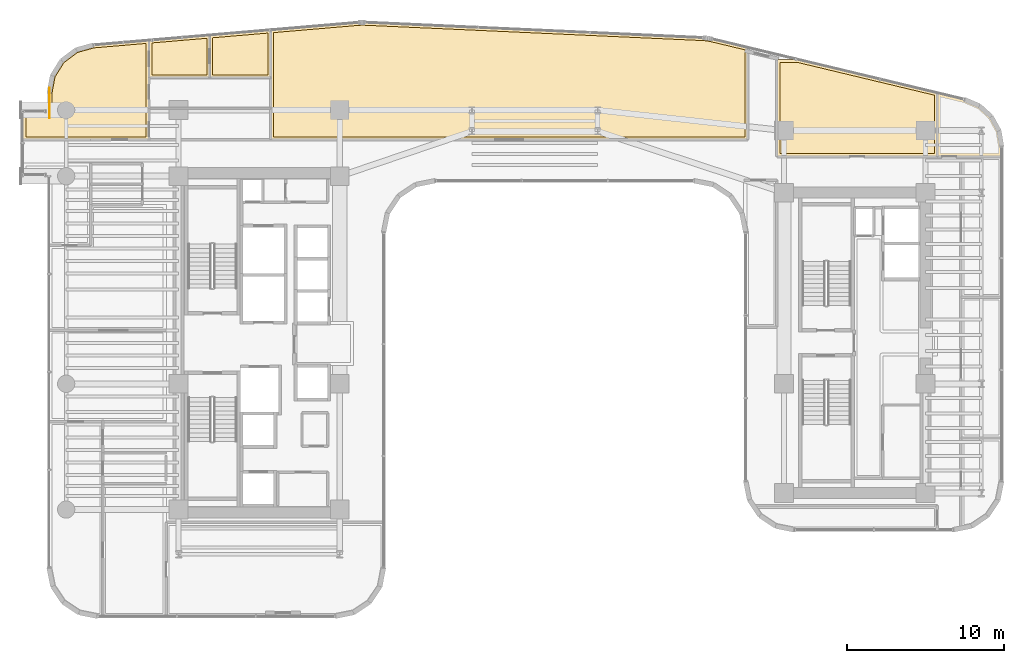
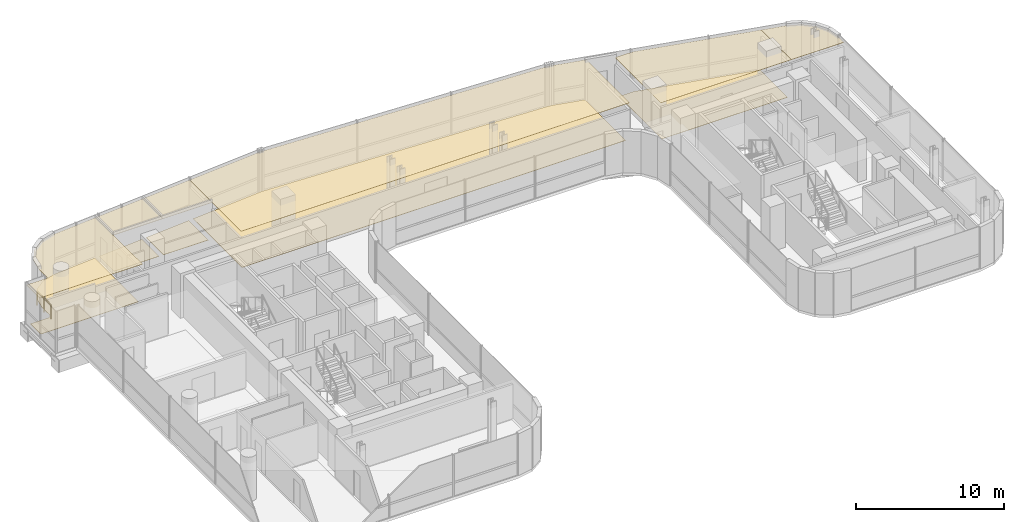
# One storey, part 35 of 35: 11 coverings, 1 railing.
"""IFC4 building model written with IfcOpenShell, lengths in metres."""

from ifc_helpers import new_model, si_unit, direction, frame, origin, origin_2d, place, context, subcontext, project, spatial, polyline, circle, outline, extrude, material, layer, layer_set, type_object, element, save


model = new_model("IFC4")

# Units and contexts
model_context = context("Model", 3, precision=1e-05, world=origin(), true_north=direction((0.0, 1.0)))
body_context = subcontext(model_context, "Body", "Model", "MODEL_VIEW")
ifc_project = project(units=[si_unit("LENGTHUNIT", "METRE"), si_unit("AREAUNIT", "SQUARE_METRE"), si_unit("VOLUMEUNIT", "CUBIC_METRE"), si_unit("PLANEANGLEUNIT", "RADIAN"), si_unit("MASSUNIT", "GRAM", prefix="KILO")], contexts=[model_context])

# Site, building, storey
site_placement = place(None, origin())
site = spatial("IfcSite", under=ifc_project, at=site_placement, CompositionType="ELEMENT")
building_placement = place(site_placement, origin())
building = spatial("IfcBuilding", under=site, at=building_placement, Name="Valdorenza Pilgrim Sanctuary Tower", CompositionType="ELEMENT")
storey_placement = place(building_placement, frame((0.0, 0.0, 150.10009765625)))
storey = spatial("IfcBuildingStorey", under=building, at=storey_placement, Name="L38", CompositionType="ELEMENT", Elevation=150.10009765625)

# Coverings
ifc_material_1 = material(Name="Micro-perforated acoustic mineral ceiling tile", Category="gypsum")
ifc_layer_1 = layer(ifc_material_1, 0.02490234375, Name="Micro-perforated acoustic mineral ceiling tile")
ifc_layer_set_1 = layer_set([ifc_layer_1], Name="Micro-perforated acoustic mineral ceiling tile")
covering_type_1 = type_object("IfcCoveringType", Name="COV-CLG-ACU", PredefinedType="CEILING", material=ifc_layer_set_1)
covering_1_placement = place(storey_placement, frame((0.0, 0.0, 3.159912109375)))
element("IfcCovering", 1, at=covering_1_placement, inside=storey, type_object=covering_type_1, Name="L38 North Grand Residence L38-N1 Bedroom 1 Acoustic Ceiling", PredefinedType="CEILING", context=body_context, shape_type="SweptSolid", body=[
    extrude(outline(polyline([(-24.532958984375, 16.85498046875), (-24.534423828125, 16.85498046875), (-24.535888671875, 16.855224609375), (-24.537353515625, 16.855712890625), (-24.538818359375, 16.856201171875), (-24.5400390625, 16.856689453125), (-24.541259765625, 16.857421875), (-24.54248046875, 16.8583984375), (-24.543701171875, 16.859375), (-24.544677734375, 16.860595703125), (-24.54541015625, 16.86181640625), (-24.546142578125, 16.86279296875), (-24.546875, 16.8642578125), (-24.54736328125, 16.865478515625), (-24.547607421875, 16.8671875), (-24.5478515625, 16.868408203125), (-24.548095703125, 16.8701171875), (-24.548095703125, 19.2392578125), (-24.5478515625, 19.24072265625), (-24.547607421875, 19.2421875), (-24.54736328125, 19.24365234375), (-24.546875, 19.2451171875), (-24.546142578125, 19.246337890625), (-24.54541015625, 19.247802734375), (-24.54443359375, 19.248779296875), (-24.54345703125, 19.25), (-24.54248046875, 19.2509765625), (-24.541259765625, 19.251953125), (-24.539794921875, 19.252685546875), (-24.53857421875, 19.253173828125), (-24.537109375, 19.253662109375), (-24.53564453125, 19.254150390625), (-24.5341796875, 19.25439453125), (-20.667724609375, 19.5830078125), (-20.666259765625, 19.5830078125), (-20.664794921875, 19.5830078125), (-20.663330078125, 19.58251953125), (-20.662109375, 19.582275390625), (-20.66064453125, 19.581787109375), (-20.6591796875, 19.5810546875), (-20.658203125, 19.580322265625), (-20.656982421875, 19.57958984375), (-20.65576171875, 19.57861328125), (-20.65478515625, 19.577392578125), (-20.654052734375, 19.576171875), (-20.6533203125, 19.574951171875), (-20.652587890625, 19.57373046875), (-20.652099609375, 19.572265625), (-20.65185546875, 19.57080078125), (-20.651611328125, 19.5693359375), (-20.651611328125, 19.568115234375), (-20.651611328125, 16.8701171875), (-20.651611328125, 16.868408203125), (-20.65185546875, 16.8671875), (-20.652099609375, 16.865478515625), (-20.652587890625, 16.8642578125), (-20.6533203125, 16.86279296875), (-20.654052734375, 16.86181640625), (-20.65478515625, 16.860595703125), (-20.656005859375, 16.859375), (-20.656982421875, 16.8583984375), (-20.658203125, 16.857421875), (-20.659423828125, 16.856689453125), (-20.660888671875, 16.856201171875), (-20.662109375, 16.855712890625), (-20.66357421875, 16.855224609375), (-20.6650390625, 16.85498046875), (-20.66650390625, 16.85498046875), (-24.532958984375, 16.85498046875)])), origin(), (0.0, 0.0, 1.0), 0.02490234375),
])
covering_2_placement = place(storey_placement, frame((0.0, 0.0, 3.159912109375)))
element("IfcCovering", 2, at=covering_2_placement, inside=storey, type_object=covering_type_1, Name="L38 North Grand Residence L38-N1 Bedroom 2 Acoustic Ceiling", PredefinedType="CEILING", context=body_context, shape_type="SweptSolid", body=[
    extrude(outline(polyline([(-20.679443359375, 19.568115234375), (-20.679443359375, 19.56884765625), (-20.679443359375, 19.5703125), (-20.67919921875, 19.57177734375), (-20.6787109375, 19.572998046875), (-20.677978515625, 19.574462890625), (-20.677490234375, 19.57568359375), (-20.6767578125, 19.576904296875), (-20.67578125, 19.577880859375), (-20.6748046875, 19.5791015625), (-20.673583984375, 19.580078125), (-20.672607421875, 19.580810546875), (-20.67138671875, 19.58154296875), (-20.669921875, 19.58203125), (-20.668701171875, 19.58251953125), (-20.667236328125, 19.5830078125), (-20.665771484375, 19.5830078125), (-16.80126953125, 19.91162109375), (-16.7998046875, 19.91162109375), (-16.79833984375, 19.91162109375), (-16.796875, 19.911376953125), (-16.79541015625, 19.910888671875), (-16.794189453125, 19.910400390625), (-16.792724609375, 19.909912109375), (-16.79150390625, 19.908935546875), (-16.790283203125, 19.908203125), (-16.789306640625, 19.906982421875), (-16.788330078125, 19.906005859375), (-16.78759765625, 19.90478515625), (-16.78662109375, 19.903564453125), (-16.7861328125, 19.90234375), (-16.78564453125, 19.90087890625), (-16.785400390625, 19.8994140625), (-16.78515625, 19.898193359375), (-16.784912109375, 19.896484375), (-16.784912109375, 16.8701171875), (-16.78515625, 16.868408203125), (-16.785400390625, 16.8671875), (-16.78564453125, 16.865478515625), (-16.7861328125, 16.8642578125), (-16.786865234375, 16.86279296875), (-16.78759765625, 16.86181640625), (-16.788330078125, 16.860595703125), (-16.789306640625, 16.859375), (-16.79052734375, 16.8583984375), (-16.791748046875, 16.857421875), (-16.79296875, 16.856689453125), (-16.794189453125, 16.856201171875), (-16.795654296875, 16.855712890625), (-16.797119140625, 16.855224609375), (-16.798583984375, 16.85498046875), (-16.800048828125, 16.85498046875), (-20.66455078125, 16.85498046875), (-20.666015625, 16.85498046875), (-20.66748046875, 16.855224609375), (-20.6689453125, 16.855712890625), (-20.670166015625, 16.856201171875), (-20.671630859375, 16.856689453125), (-20.6728515625, 16.857421875), (-20.674072265625, 16.8583984375), (-20.675048828125, 16.859375), (-20.676025390625, 16.860595703125), (-20.677001953125, 16.86181640625), (-20.677734375, 16.86279296875), (-20.678466796875, 16.8642578125), (-20.678955078125, 16.865478515625), (-20.67919921875, 16.8671875), (-20.679443359375, 16.868408203125), (-20.679443359375, 16.8701171875), (-20.679443359375, 19.568115234375), (-20.679443359375, 19.568115234375)])), origin(), (0.0, 0.0, 1.0), 0.02490234375),
])
covering_3_placement = place(storey_placement, frame((0.0, 0.0, 3.159912109375)))
element("IfcCovering", 3, at=covering_3_placement, inside=storey, type_object=covering_type_1, Name="L38 North Grand Residence L38-N1 Living Room Acoustic Ceiling", PredefinedType="CEILING", context=body_context, shape_type="SweptSolid", body=[
    extrude(outline(polyline([(-32.5400390625, 12.905029296875), (-32.54150390625, 12.905029296875), (-32.54296875, 12.9052734375), (-32.54443359375, 12.905517578125), (-32.545654296875, 12.906005859375), (-32.547119140625, 12.90673828125), (-32.54833984375, 12.907470703125), (-32.549560546875, 12.908447265625), (-32.550537109375, 12.909423828125), (-32.551513671875, 12.910400390625), (-32.552490234375, 12.91162109375), (-32.55322265625, 12.912841796875), (-32.553955078125, 12.914306640625), (-32.554443359375, 12.91552734375), (-32.5546875, 12.9169921875), (-32.554931640625, 12.91845703125), (-32.554931640625, 12.919921875), (-32.554931640625, 14.68994140625), (-32.554931640625, 14.69140625), (-32.5546875, 14.69287109375), (-32.554443359375, 14.6943359375), (-32.553955078125, 14.69580078125), (-32.55322265625, 14.697021484375), (-32.552490234375, 14.6982421875), (-32.551513671875, 14.699462890625), (-32.550537109375, 14.70068359375), (-32.549560546875, 14.70166015625), (-32.54833984375, 14.702392578125), (-32.547119140625, 14.703125), (-32.545654296875, 14.703857421875), (-32.54443359375, 14.704345703125), (-32.54296875, 14.70458984375), (-32.54150390625, 14.704833984375), (-32.5400390625, 14.705078125), (-31.00048828125, 14.705078125), (-30.99072265625, 14.70556640625), (-30.9814453125, 14.706787109375), (-30.972412109375, 14.708984375), (-30.963623046875, 14.712158203125), (-30.955078125, 14.71630859375), (-30.947265625, 14.720947265625), (-30.939697265625, 14.7265625), (-30.932861328125, 14.73291015625), (-30.926513671875, 14.73974609375), (-30.9208984375, 14.747314453125), (-30.916259765625, 14.755126953125), (-30.912109375, 14.763671875), (-30.9091796875, 14.7724609375), (-30.90673828125, 14.781494140625), (-30.905517578125, 14.790771484375), (-30.905029296875, 14.80029296875), (-30.905029296875, 15.850341796875), (-30.90478515625, 15.8515625), (-30.90478515625, 15.85302734375), (-30.692138671875, 16.984130859375), (-30.69189453125, 16.985595703125), (-30.69140625, 16.98681640625), (-30.69091796875, 16.98828125), (-30.690185546875, 16.989501953125), (-30.0869140625, 17.95751953125), (-30.086181640625, 17.958740234375), (-30.085205078125, 17.959716796875), (-30.084228515625, 17.960693359375), (-30.083251953125, 17.961669921875), (-29.169677734375, 18.64453125), (-29.16845703125, 18.6455078125), (-29.167236328125, 18.64599609375), (-29.166015625, 18.646484375), (-29.164794921875, 18.647216796875), (-28.055419921875, 18.95458984375), (-28.05419921875, 18.955078125), (-28.052734375, 18.955078125), (-24.536376953125, 19.254150390625), (-24.534912109375, 19.254150390625), (-24.533447265625, 19.254150390625), (-24.531982421875, 19.25390625), (-24.530517578125, 19.25341796875), (-24.529052734375, 19.2529296875), (-24.52783203125, 19.252197265625), (-24.526611328125, 19.251708984375), (-24.525390625, 19.250732421875), (-24.5244140625, 19.249755859375), (-24.5234375, 19.24853515625), (-24.5224609375, 19.247314453125), (-24.521728515625, 19.24609375), (-24.52099609375, 19.244873046875), (-24.5205078125, 19.243408203125), (-24.520263671875, 19.2421875), (-24.52001953125, 19.240478515625), (-24.52001953125, 19.2392578125), (-24.52001953125, 16.87548828125), (-24.519775390625, 16.875), (-24.51904296875, 16.87353515625), (-24.5185546875, 16.872314453125), (-24.518310546875, 16.870849609375), (-24.51806640625, 16.869384765625), (-24.51806640625, 16.867919921875), (-24.51806640625, 12.919921875), (-24.51806640625, 12.91845703125), (-24.518310546875, 12.9169921875), (-24.5185546875, 12.91552734375), (-24.51904296875, 12.914306640625), (-24.519775390625, 12.912841796875), (-24.5205078125, 12.91162109375), (-24.521484375, 12.910400390625), (-24.5224609375, 12.909423828125), (-24.5234375, 12.908447265625), (-24.524658203125, 12.907470703125), (-24.52587890625, 12.90673828125), (-24.52734375, 12.906005859375), (-24.528564453125, 12.905517578125), (-24.530029296875, 12.9052734375), (-24.531494140625, 12.905029296875), (-24.532958984375, 12.905029296875), (-32.5400390625, 12.905029296875)])), origin(), (0.0, 0.0, 1.0), 0.02490234375),
])
covering_4_placement = place(storey_placement, frame((0.0, 0.0, 3.159912109375)))
element("IfcCovering", 4, at=covering_4_placement, inside=storey, type_object=covering_type_1, Name="L38 Sacred Archive Reading Library L38-N2 Acoustic Ceiling", PredefinedType="CEILING", context=body_context, shape_type="SweptSolid", body=[
    extrude(outline(polyline([(-16.81298828125, 14.918212890625), (-16.81298828125, 14.9189453125), (-16.813232421875, 14.92041015625), (-16.813232421875, 14.922119140625), (-16.81298828125, 14.923583984375), (-16.81298828125, 14.923828125), (-16.81298828125, 16.8662109375), (-16.81298828125, 16.866943359375), (-16.813232421875, 16.868408203125), (-16.813232421875, 16.8701171875), (-16.81298828125, 16.87158203125), (-16.81298828125, 16.871826171875), (-16.81298828125, 19.896484375), (-16.81298828125, 19.896484375), (-16.81298828125, 19.8974609375), (-16.81298828125, 19.89892578125), (-16.8125, 19.900390625), (-16.812255859375, 19.901611328125), (-16.8115234375, 19.903076171875), (-16.81103515625, 19.904296875), (-16.810302734375, 19.905517578125), (-16.809326171875, 19.906494140625), (-16.808349609375, 19.90771484375), (-16.80712890625, 19.90869140625), (-16.805908203125, 19.909423828125), (-16.8046875, 19.91015625), (-16.803466796875, 19.91064453125), (-16.802001953125, 19.9111328125), (-16.80078125, 19.91162109375), (-16.79931640625, 19.91162109375), (-11.20068359375, 20.3876953125), (-11.200439453125, 20.3876953125), (-11.099365234375, 20.39453125), (-11.098876953125, 20.39453125), (-10.998291015625, 20.398193359375), (-10.997802734375, 20.398193359375), (-10.897216796875, 20.398681640625), (-10.896728515625, 20.398681640625), (-10.79541015625, 20.3955078125), (-10.795166015625, 20.3955078125), (10.690673828125, 19.4189453125), (10.69091796875, 19.4189453125), (10.838134765625, 19.40869140625), (10.8388671875, 19.40869140625), (10.984375, 19.3916015625), (10.985107421875, 19.3916015625), (11.12939453125, 19.36767578125), (11.130126953125, 19.36767578125), (11.274658203125, 19.336669921875), (11.27490234375, 19.33642578125), (13.553466796875, 18.791015625), (13.554931640625, 18.790771484375), (13.55615234375, 18.790283203125), (13.5576171875, 18.78955078125), (13.55859375, 18.788818359375), (13.559814453125, 18.787841796875), (13.560791015625, 18.786865234375), (13.561767578125, 18.785888671875), (13.5625, 18.78466796875), (13.563232421875, 18.783447265625), (13.56396484375, 18.781982421875), (13.564453125, 18.78076171875), (13.564697265625, 18.779296875), (13.56494140625, 18.778076171875), (13.56494140625, 18.776611328125), (13.56494140625, 12.919921875), (13.56494140625, 12.91845703125), (13.564697265625, 12.9169921875), (13.564453125, 12.91552734375), (13.56396484375, 12.914306640625), (13.563232421875, 12.912841796875), (13.5625, 12.91162109375), (13.5615234375, 12.910400390625), (13.560546875, 12.909423828125), (13.5595703125, 12.908447265625), (13.558349609375, 12.907470703125), (13.55712890625, 12.90673828125), (13.5556640625, 12.906005859375), (13.554443359375, 12.905517578125), (13.552978515625, 12.9052734375), (13.551513671875, 12.905029296875), (13.550048828125, 12.905029296875), (-16.798095703125, 12.905029296875), (-16.799560546875, 12.905029296875), (-16.80078125, 12.9052734375), (-16.802490234375, 12.905517578125), (-16.8037109375, 12.906005859375), (-16.80517578125, 12.90673828125), (-16.806396484375, 12.907470703125), (-16.8076171875, 12.908447265625), (-16.80859375, 12.909423828125), (-16.8095703125, 12.910400390625), (-16.810546875, 12.91162109375), (-16.811279296875, 12.912841796875), (-16.81201171875, 12.914306640625), (-16.8125, 12.91552734375), (-16.812744140625, 12.9169921875), (-16.81298828125, 12.91845703125), (-16.81298828125, 12.919921875), (-16.81298828125, 14.918212890625)])), origin(), (0.0, 0.0, 1.0), 0.02490234375),
])
covering_5_placement = place(storey_placement, frame((0.0, 0.0, 3.159912109375)))
element("IfcCovering", 5, at=covering_5_placement, inside=storey, type_object=covering_type_1, Name="L38 Curator Research Office L38-BN1 Acoustic Ceiling", PredefinedType="CEILING", context=body_context, shape_type="SweptSolid", body=[
    extrude(outline(polyline([(15.39990234375, 11.8349609375), (15.3984375, 11.835205078125), (15.397216796875, 11.835205078125), (15.3955078125, 11.835693359375), (15.394287109375, 11.836181640625), (15.392822265625, 11.8369140625), (15.3916015625, 11.83740234375), (15.390380859375, 11.83837890625), (15.389404296875, 11.83935546875), (15.388427734375, 11.840576171875), (15.387451171875, 11.841796875), (15.38671875, 11.843017578125), (15.385986328125, 11.84423828125), (15.385498046875, 11.845703125), (15.38525390625, 11.84716796875), (15.385009765625, 11.848388671875), (15.385009765625, 11.85009765625), (15.385009765625, 18.0), (15.385009765625, 18.00146484375), (15.38525390625, 18.0029296875), (15.385498046875, 18.00439453125), (15.385986328125, 18.005615234375), (15.38671875, 18.007080078125), (15.387451171875, 18.00830078125), (15.388427734375, 18.009521484375), (15.389404296875, 18.010498046875), (15.390380859375, 18.01171875), (15.3916015625, 18.012451171875), (15.392822265625, 18.01318359375), (15.394287109375, 18.013916015625), (15.3955078125, 18.014404296875), (15.397216796875, 18.0146484375), (15.3984375, 18.014892578125), (15.39990234375, 18.014892578125), (16.794189453125, 18.014892578125), (16.7958984375, 18.014892578125), (16.797607421875, 18.0146484375), (25.603515625, 15.90673828125), (25.60498046875, 15.906494140625), (25.606201171875, 15.906005859375), (25.607421875, 15.9052734375), (25.608642578125, 15.904541015625), (25.60986328125, 15.903564453125), (25.61083984375, 15.902587890625), (25.61181640625, 15.901611328125), (25.612548828125, 15.900390625), (25.61328125, 15.899169921875), (25.614013671875, 15.897705078125), (25.614501953125, 15.896484375), (25.61474609375, 15.89501953125), (25.614990234375, 15.893798828125), (25.614990234375, 15.892333984375), (25.614990234375, 11.85009765625), (25.614990234375, 11.848388671875), (25.61474609375, 11.84716796875), (25.614501953125, 11.845703125), (25.614013671875, 11.84423828125), (25.61328125, 11.843017578125), (25.612548828125, 11.841796875), (25.611572265625, 11.840576171875), (25.610595703125, 11.83935546875), (25.609619140625, 11.83837890625), (25.6083984375, 11.83740234375), (25.607177734375, 11.8369140625), (25.605712890625, 11.836181640625), (25.6044921875, 11.835693359375), (25.602783203125, 11.835205078125), (25.6015625, 11.835205078125), (25.60009765625, 11.8349609375), (15.39990234375, 11.8349609375)])), origin(), (0.0, 0.0, 1.0), 0.02490234375),
])
covering_6_placement = place(storey_placement, frame((0.0, 0.0, 3.159912109375)))
element("IfcCovering", 6, at=covering_6_placement, inside=storey, type_object=covering_type_1, Name="L38 East Wing Reference Library L38-BNE Acoustic Ceiling", PredefinedType="CEILING", context=body_context, shape_type="SweptSolid", body=[
    extrude(outline(polyline([(27.313720703125, 15.49755859375), (27.31494140625, 15.4970703125), (27.316162109375, 15.49658203125), (28.269775390625, 15.09130859375), (28.271240234375, 15.090576171875), (28.272705078125, 15.089599609375), (28.27392578125, 15.088623046875), (29.034912109375, 14.3994140625), (29.035888671875, 14.398193359375), (29.037109375, 14.39697265625), (29.037841796875, 14.3955078125), (29.531005859375, 13.4951171875), (29.53173828125, 13.49365234375), (29.5322265625, 13.4921875), (29.53271484375, 13.490478515625), (29.704833984375, 12.468994140625), (29.704833984375, 12.467529296875), (29.705078125, 12.46630859375), (29.705078125, 11.85009765625), (29.704833984375, 11.848388671875), (29.70458984375, 11.84716796875), (29.704345703125, 11.845703125), (29.703857421875, 11.84423828125), (29.703125, 11.843017578125), (29.702392578125, 11.841796875), (29.70166015625, 11.840576171875), (29.70068359375, 11.83935546875), (29.699462890625, 11.83837890625), (29.6982421875, 11.83740234375), (29.697021484375, 11.8369140625), (29.69580078125, 11.836181640625), (29.6943359375, 11.835693359375), (29.69287109375, 11.835205078125), (29.69140625, 11.835205078125), (29.68994140625, 11.8349609375), (25.60205078125, 11.8349609375), (25.6005859375, 11.835205078125), (25.59912109375, 11.835205078125), (25.59765625, 11.835693359375), (25.59619140625, 11.836181640625), (25.594970703125, 11.8369140625), (25.59375, 11.83740234375), (25.592529296875, 11.83837890625), (25.59130859375, 11.83935546875), (25.59033203125, 11.840576171875), (25.589599609375, 11.841796875), (25.5888671875, 11.843017578125), (25.588134765625, 11.84423828125), (25.587646484375, 11.845703125), (25.58740234375, 11.84716796875), (25.587158203125, 11.848388671875), (25.5869140625, 11.85009765625), (25.5869140625, 15.891845703125), (25.587158203125, 15.893310546875), (25.58740234375, 15.894775390625), (25.587646484375, 15.896240234375), (25.588134765625, 15.897705078125), (25.5888671875, 15.89892578125), (25.589599609375, 15.900390625), (25.590576171875, 15.901611328125), (25.591552734375, 15.902587890625), (25.5927734375, 15.903564453125), (25.593994140625, 15.904296875), (25.59521484375, 15.9052734375), (25.5966796875, 15.90576171875), (25.597900390625, 15.90625), (25.599609375, 15.906494140625), (25.60107421875, 15.90673828125), (25.6025390625, 15.90673828125), (25.60400390625, 15.906494140625), (25.60546875, 15.906494140625), (27.313720703125, 15.49755859375)])), origin(), (0.0, 0.0, 1.0), 0.02490234375),
])
ifc_material_2 = material(Name="Engineered European oak timber flooring", Category="wood")
ifc_layer_2 = layer(ifc_material_2, 0.02197265625, Name="Engineered European oak timber flooring")
ifc_layer_set_2 = layer_set([ifc_layer_2], Name="Engineered European oak timber flooring")
covering_type_2 = type_object("IfcCoveringType", Name="COV-FLR-OAK", PredefinedType="FLOORING", material=ifc_layer_set_2)
covering_7_placement = place(storey_placement, origin())
element("IfcCovering", 7, at=covering_7_placement, inside=storey, type_object=covering_type_2, Name="L38 North Grand Residence L38-N1 Bedroom 1 Flooring", PredefinedType="FLOORING", context=body_context, shape_type="SweptSolid", body=[
    extrude(outline(polyline([(-24.35302734375, 17.050048828125), (-24.35302734375, 19.073974609375), (-20.846435546875, 19.3720703125), (-20.846435546875, 17.050048828125), (-24.35302734375, 17.050048828125)])), origin(), (0.0, 0.0, 1.0), 0.02490234375),
])
covering_8_placement = place(storey_placement, origin())
element("IfcCovering", 8, at=covering_8_placement, inside=storey, type_object=covering_type_2, Name="L38 North Grand Residence L38-N1 Bedroom 2 Flooring", PredefinedType="FLOORING", context=body_context, shape_type="SweptSolid", body=[
    extrude(outline(polyline([(-20.484619140625, 17.050048828125), (-20.484619140625, 19.402587890625), (-16.97998046875, 19.70068359375), (-16.97998046875, 17.050048828125), (-20.484619140625, 17.050048828125)])), origin(), (0.0, 0.0, 1.0), 0.02490234375),
])
covering_9_placement = place(storey_placement, origin())
element("IfcCovering", 9, at=covering_9_placement, inside=storey, type_object=covering_type_2, Name="L38 North Grand Residence L38-N1 Living Room Flooring", PredefinedType="FLOORING", context=body_context, shape_type="SweptSolid", body=[
    extrude(outline(polyline([(-32.360107421875, 13.10009765625), (-32.360107421875, 14.510009765625), (-31.0, 14.510009765625), (-30.9912109375, 14.51025390625), (-30.98046875, 14.5107421875), (-30.962890625, 14.512451171875), (-30.9521484375, 14.51416015625), (-30.934814453125, 14.517578125), (-30.92431640625, 14.52001953125), (-30.907470703125, 14.525390625), (-30.897216796875, 14.52880859375), (-30.880859375, 14.53564453125), (-30.87109375, 14.540283203125), (-30.855712890625, 14.548583984375), (-30.84619140625, 14.55419921875), (-30.831787109375, 14.56396484375), (-30.822998046875, 14.5703125), (-30.809326171875, 14.58154296875), (-30.80126953125, 14.5888671875), (-30.788818359375, 14.601318359375), (-30.781494140625, 14.609375), (-30.7705078125, 14.623046875), (-30.763916015625, 14.631591796875), (-30.754150390625, 14.646240234375), (-30.74853515625, 14.655517578125), (-30.740234375, 14.671142578125), (-30.735595703125, 14.680908203125), (-30.72900390625, 14.697265625), (-30.725341796875, 14.70751953125), (-30.72021484375, 14.724365234375), (-30.717529296875, 14.73486328125), (-30.714111328125, 14.752197265625), (-30.71240234375, 14.7626953125), (-30.710693359375, 14.780517578125), (-30.710205078125, 14.791259765625), (-30.7099609375, 14.800048828125), (-30.7099609375, 15.83349609375), (-30.5068359375, 16.9150390625), (-29.939208984375, 17.82568359375), (-29.080078125, 18.46826171875), (-28.01953125, 18.76220703125), (-24.715087890625, 19.043212890625), (-24.715087890625, 16.8701171875), (-24.713134765625, 13.10009765625), (-32.360107421875, 13.10009765625)])), origin(), (0.0, 0.0, 1.0), 0.02490234375),
])
ifc_material_3 = material(Name="Honed travertine stone flooring", Category="masonry")
ifc_layer_3 = layer(ifc_material_3, 0.030029296875, Name="Honed travertine stone flooring")
ifc_layer_set_3 = layer_set([ifc_layer_3], Name="Honed travertine stone flooring")
covering_type_3 = type_object("IfcCoveringType", Name="COV-FLR-TRV", PredefinedType="FLOORING", material=ifc_layer_set_3)
covering_10_placement = place(storey_placement, origin())
element("IfcCovering", 10, at=covering_10_placement, inside=storey, type_object=covering_type_3, Name="L38 Sacred Archive Reading Library L38-N2 Flooring", PredefinedType="FLOORING", context=body_context, shape_type="SweptSolid", body=[
    extrude(outline(polyline([(-16.617919921875, 14.921630859375), (-16.617919921875, 14.922119140625), (-16.617919921875, 16.867919921875), (-16.617919921875, 16.868896484375), (-16.617919921875, 16.86962890625), (-16.617919921875, 16.8701171875), (-16.617919921875, 19.731201171875), (-11.185546875, 20.193115234375), (-11.0888671875, 20.199951171875), (-10.994140625, 20.203125), (-10.8994140625, 20.20361328125), (-10.802490234375, 20.20068359375), (10.6796875, 19.224365234375), (10.820556640625, 19.214599609375), (10.95751953125, 19.198486328125), (11.093505859375, 19.176025390625), (11.231689453125, 19.146484375), (13.3701171875, 18.634521484375), (13.3701171875, 13.10009765625), (-16.617919921875, 13.10009765625), (-16.617919921875, 14.919921875), (-16.617919921875, 14.9208984375), (-16.617919921875, 14.921630859375)])), origin(), (0.0, 0.0, 1.0), 0.02490234375),
])
covering_11_placement = place(storey_placement, origin())
element("IfcCovering", 11, at=covering_11_placement, inside=storey, type_object=covering_type_3, Name="L38 Curator Research Office L38-BN1 Flooring", PredefinedType="FLOORING", context=body_context, shape_type="SweptSolid", body=[
    extrude(outline(polyline([(15.580078125, 12.030029296875), (15.580078125, 17.820068359375), (16.77294921875, 17.820068359375), (25.419921875, 15.750244140625), (25.419921875, 12.030029296875), (15.580078125, 12.030029296875)])), origin(), (0.0, 0.0, 1.0), 0.02490234375),
])

# Railing
ifc_material_4 = material(Name="Stainless steel Grade 316", Category="steel")
railing_type = type_object("IfcRailingType", Name="RLG-GRD-1120", PredefinedType="GUARDRAIL", material=ifc_material_4)
railing_placement = place(storey_placement, frame((-30.860107421875, 14.300048828125, 0.0)))
element("IfcRailing", 12, at=railing_placement, inside=storey, type_object=railing_type, Name="L38 NW Tangent Safety Sill Guard", PredefinedType="GUARDRAIL", context=body_context, shape_type="SweptSolid", body=[
    extrude(circle(Radius=0.02392578125, at=origin_2d()), frame((0.0, 0.0, 1.17578125), z_axis=(0.0, 1.0, 0.0), x_axis=(-1.0, 0.0, 0.0)), (0.0, 0.0, 1.0), 1.89990234375),
    extrude(circle(Radius=0.02099609375, at=origin_2d()), origin(), (0.0, 0.0, 1.0), 1.15185546875),
    extrude(circle(Radius=0.02099609375, at=origin_2d()), frame((0.0, 0.949951171875, 0.0)), (0.0, 0.0, 1.0), 1.15185546875),
    extrude(circle(Radius=0.02099609375, at=origin_2d()), frame((0.0, 1.89990234375, 0.0)), (0.0, 0.0, 1.0), 1.15185546875),
])

save(model, "model.ifc")
